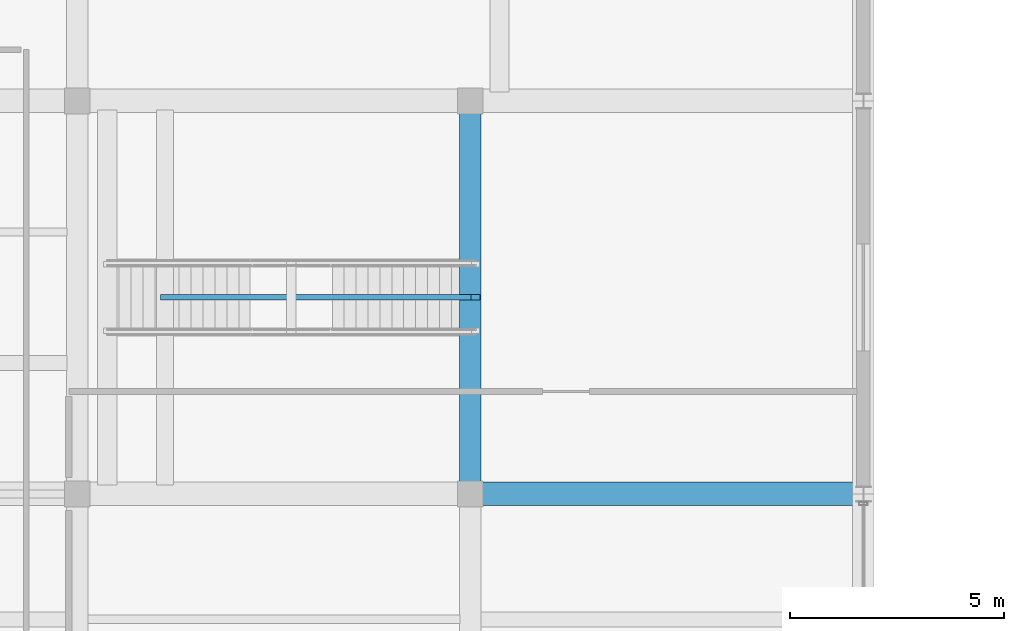
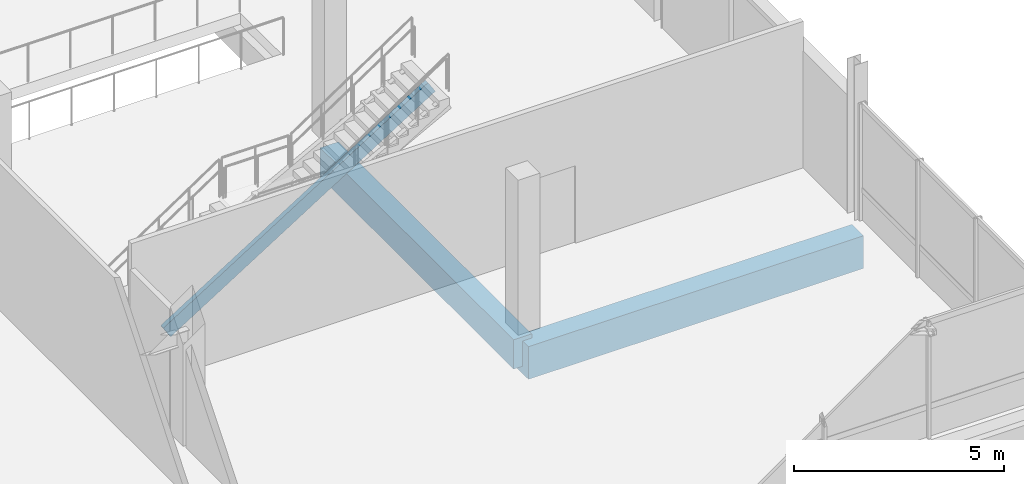
# One storey, part 29 of 77: 2 beams, 1 member.
"""IFC4 building model written with IfcOpenShell, lengths in metres."""

from ifc_helpers import new_model, si_unit, direction, frame, origin, origin_2d, place, context, subcontext, project, spatial, rectangle, extrude, material, material_profile, profile_set, type_object, element, save


model = new_model("IFC4")

# Units and contexts
model_context = context("Model", 3, precision=1e-05, world=origin(), true_north=direction((0.0, 1.0)))
body_context = subcontext(model_context, "Body", "Model", "MODEL_VIEW")
ifc_project = project(units=[si_unit("LENGTHUNIT", "METRE"), si_unit("AREAUNIT", "SQUARE_METRE"), si_unit("VOLUMEUNIT", "CUBIC_METRE"), si_unit("PLANEANGLEUNIT", "RADIAN"), si_unit("MASSUNIT", "GRAM", prefix="KILO")], contexts=[model_context])

# Site, building, storey
site_placement = place(None, origin())
site = spatial("IfcSite", under=ifc_project, at=site_placement, CompositionType="ELEMENT")
building_placement = place(site_placement, origin())
building = spatial("IfcBuilding", under=site, at=building_placement, Name="Meriwether Solvik Hall", CompositionType="ELEMENT")
storey_placement = place(building_placement, frame((0.0, 0.0, 9.89990234375)))
storey = spatial("IfcBuildingStorey", under=building, at=storey_placement, Name="L02", CompositionType="ELEMENT", Elevation=9.89990234375)

# Beams
ifc_material_1 = material(Name="Concrete C40/50", Category="concrete")
ifc_material_profile_1 = material_profile(ifc_material_1, rectangle(XDim=0.5, YDim=0.85009765625, at=origin_2d()), Name="RCB-500X850")
ifc_profile_set_1 = profile_set([ifc_material_profile_1], Name="Concrete C40/50")
beam_type_1 = type_object("IfcBeamType", Name="BM-RC-500X850", PredefinedType="BEAM", material=ifc_profile_set_1)
beam_1_placement = place(storey_placement, frame((105.0, 14.0, -0.7548828125), z_axis=(0.0, 1.0, 0.0), x_axis=(-1.0, 0.0, 0.0)))
element("IfcBeam", 1, at=beam_1_placement, inside=storey, type_object=beam_type_1, Name="Podium Girder 12:B-C (L02)", PredefinedType="BEAM", context=body_context, shape_type="SweptSolid", body=[
    extrude(rectangle(XDim=0.5, YDim=0.85009765625, at=origin_2d()), origin(), (0.0, 0.0, 1.0), 9.199951171875),
])
ifc_material_2 = material(Name="Concrete C40/50", Category="concrete")
ifc_material_profile_2 = material_profile(ifc_material_2, rectangle(XDim=0.550048828125, YDim=0.949951171875, at=origin_2d()), Name="RCB-550X950")
ifc_profile_set_2 = profile_set([ifc_material_profile_2], Name="Concrete C40/50")
beam_type_2 = type_object("IfcBeamType", Name="BM-RC-550X950", PredefinedType="BEAM", material=ifc_profile_set_2)
beam_2_placement = place(storey_placement, frame((105.0, 14.0, -0.9248046875), z_axis=(1.0, 0.0, 0.0), x_axis=(0.0, 1.0, 0.0)))
element("IfcBeam", 2, at=beam_2_placement, inside=storey, type_object=beam_type_2, Name="Podium Girder B:12-13 (L02)", PredefinedType="BEAM", context=body_context, shape_type="SweptSolid", body=[
    extrude(rectangle(XDim=0.550048828125, YDim=0.949951171875, at=origin_2d()), origin(), (0.0, 0.0, 1.0), 9.199951171875),
])

# Member
ifc_material_3 = material(Name="Glulam Douglas-Fir 24F-V8 GL28h", Category="wood")
ifc_material_profile_3 = material_profile(ifc_material_3, rectangle(XDim=0.1298828125, YDim=0.3798828125, at=origin_2d()), Name="GLM-130X380")
ifc_profile_set_3 = profile_set([ifc_material_profile_3], Name="Glulam Douglas-Fir 24F-V8 GL28h")
member_type = type_object("IfcMemberType", Name="MEM-STR-GL130", PredefinedType="STRINGER", material=ifc_profile_set_3)
member_placement = place(storey_placement, frame((97.849365234375, 18.60009765625, -0.449951171875), z_axis=(0.84586125089, 0.0, 0.533402984846), x_axis=(0.0, 1.0, 0.0)))
element("IfcMember", 3, at=member_placement, inside=storey, type_object=member_type, Name="Stair ST-AT3 Glulam Stringer C", PredefinedType="STRINGER", context=body_context, shape_type="SweptSolid", body=[
    extrude(rectangle(XDim=0.1298828125, YDim=0.3798828125, at=origin_2d()), origin(), (0.0, 0.0, 1.0), 8.595703125),
])

save(model, "model.ifc")
